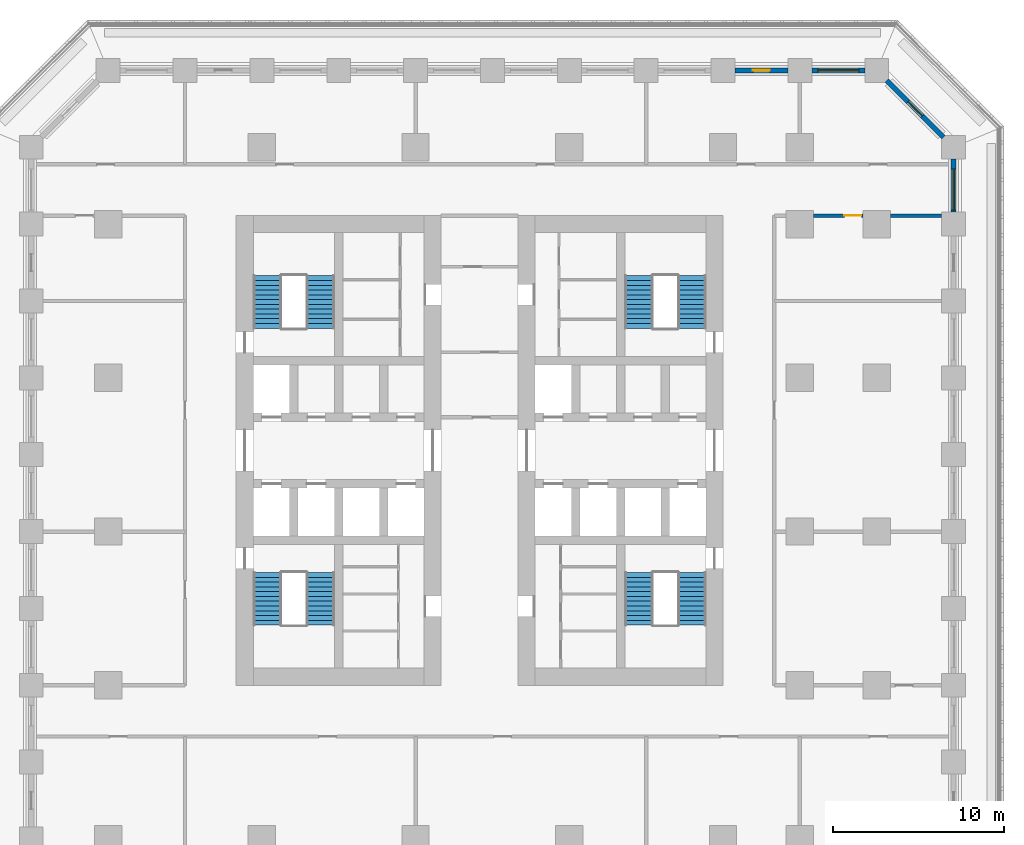
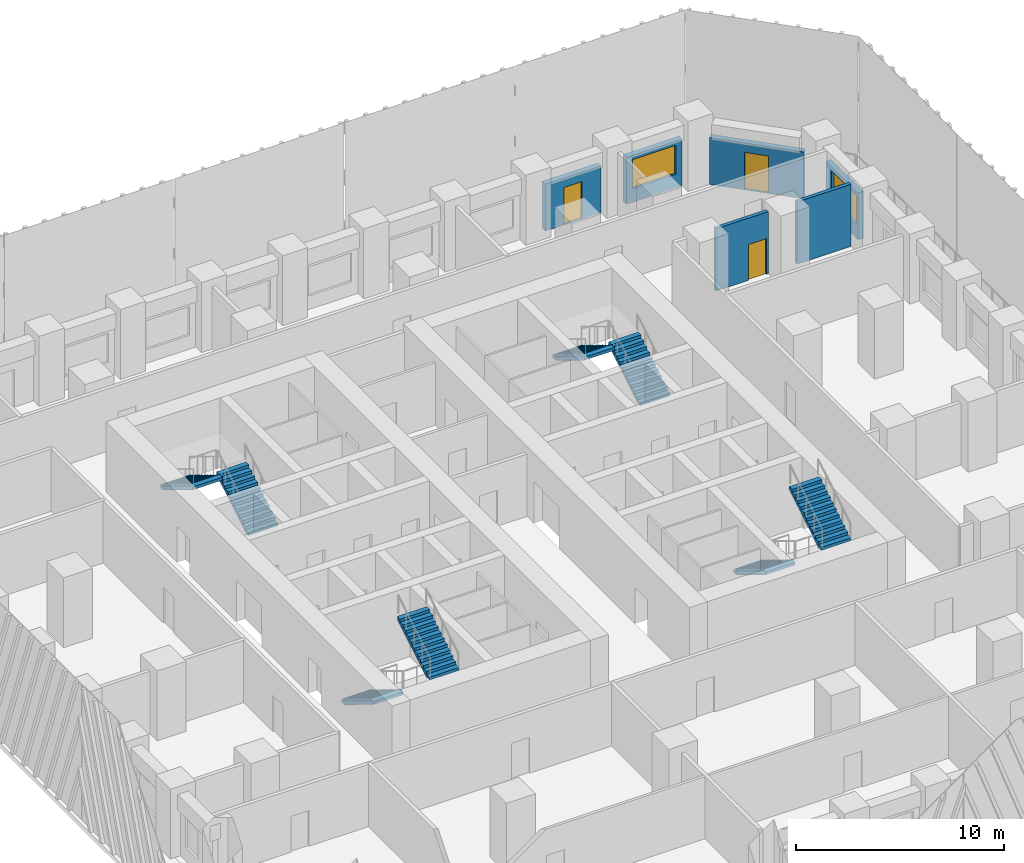
# One storey, part 8 of 14: 8 stair flights, 6 walls, 3 doors, 2 windows, 5 openings, 4 elements without a shape of their own.
"""IFC4 building model written with IfcOpenShell, lengths in metres."""

from ifc_helpers import new_model, si_unit, direction, frame, frame_2d, origin, place, context, subcontext, project, spatial, polyline, rectangle, outline, extrude, material, layer, layer_set, type_object, element, fill, aggregate, save


model = new_model("IFC4")

# Units and contexts
model_context = context("Model", 3, precision=1e-05, world=origin(), true_north=direction((0.0, 1.0)))
body_context = subcontext(model_context, "Body", "Model", "MODEL_VIEW")
ifc_project = project(units=[si_unit("LENGTHUNIT", "METRE"), si_unit("AREAUNIT", "SQUARE_METRE"), si_unit("VOLUMEUNIT", "CUBIC_METRE"), si_unit("PLANEANGLEUNIT", "RADIAN"), si_unit("MASSUNIT", "GRAM", prefix="KILO")], contexts=[model_context])

# Site, building, storey
site_placement = place(None, origin())
site = spatial("IfcSite", under=ifc_project, at=site_placement, CompositionType="ELEMENT")
building_placement = place(site_placement, origin())
building = spatial("IfcBuilding", under=site, at=building_placement, Name="Corbel Stack Research Tower", CompositionType="ELEMENT")
storey_placement = place(building_placement, frame((0.0, 0.0, 50.10009765625)))
storey = spatial("IfcBuildingStorey", under=building, at=storey_placement, Name="L11", CompositionType="ELEMENT", Elevation=50.10009765625)

# Wall, opening, door
ifc_material_1 = material(Name="Fire-rated gypsum board partition on steel studs", Category="steel")
ifc_layer_1 = layer(ifc_material_1, 0.199951171875)
ifc_layer_set_1 = layer_set([ifc_layer_1], Name="Fire-rated gypsum board partition on steel studs")
wall_type_1 = type_object("IfcWallType", Name="Fire-rated partition 200 EI 60", PredefinedType="PARTITIONING", material=ifc_layer_set_1)
wall_1_placement = place(storey_placement, frame((26.199951171875, 18.5, 0.0), z_axis=(0.0, 0.0, 1.0), x_axis=(-1.0, 0.0, 0.0)))
wall_1 = element("IfcWall", 1, at=wall_1_placement, inside=storey, type_object=wall_type_1, Name="Partition L11-034", PredefinedType="PARTITIONING", context=body_context, shape_type="SweptSolid", body=[
    extrude(rectangle(XDim=2.89990234375, YDim=0.199951171875, at=frame_2d((1.449951171875, 0.0))), origin(), (0.0, 0.0, 1.0), 3.64990234375),
])
opening_1_placement = place(wall_1_placement, frame((0.10009765625, 0.0, 0.0)))
opening_1 = element("IfcOpeningElement", 2, at=opening_1_placement, cuts=wall_1, Name="Opening B2V1-018", PredefinedType="OPENING", context=body_context, shape_type="SweptSolid", body=[
    extrude(rectangle(XDim=1.0, YDim=2.10009765625, at=frame_2d((0.5, 1.050048828125))), frame((0.0, 0.10986328125, 0.0), z_axis=(0.0, -1.0, 0.0), x_axis=(1.0, 0.0, 0.0)), (0.0, 0.0, 1.0), 0.219970703125),
])
ifc_material_2 = material(Name="Painted steel fire door", Category="steel")
door_type_1 = type_object("IfcDoorType", Name="Fire door FD30S 1000 x 2100", OperationType="NOTDEFINED", PredefinedType="DOOR", material=ifc_material_2)
door_1_placement = place(opening_1_placement, origin())
door_1 = element("IfcDoor", 3, at=door_1_placement, inside=storey, type_object=door_type_1, Name="Door B2V1-018", OperationType="SINGLE_SWING_LEFT", OverallHeight=2.10009765625, OverallWidth=1.0, PredefinedType="DOOR", context=body_context, shape_type="SweptSolid", body=[
    extrude(rectangle(XDim=1.0, YDim=2.10009765625, at=frame_2d((0.5, 1.050048828125))), frame((0.0, 0.02490234375, 0.0), z_axis=(0.0, -1.0, 0.0), x_axis=(1.0, 0.0, 0.0)), (0.0, 0.0, 1.0), 0.050048828125),
])
fill(opening_1, door_1)

# Wall
wall_2_placement = place(storey_placement, frame((27.800048828125, 18.5, 0.0), z_axis=(0.0, 0.0, 1.0), x_axis=(1.0, 0.0, 0.0)))
element("IfcWall", 4, at=wall_2_placement, inside=storey, type_object=wall_type_1, Name="Partition L11-035", PredefinedType="PARTITIONING", context=body_context, shape_type="SweptSolid", body=[
    extrude(rectangle(XDim=3.0, YDim=0.199951171875, at=frame_2d((1.5, 0.0))), origin(), (0.0, 0.0, 1.0), 3.64990234375),
])

# Wall, opening, window
ifc_material_3 = material(Name="Concrete C45/55", Category="concrete")
ifc_layer_2 = layer(ifc_material_3, 0.300048828125)
ifc_layer_set_2 = layer_set([ifc_layer_2], Name="Concrete C45/55")
wall_type_2 = type_object("IfcWallType", Name="Terracotta-faced concrete wall 300", PredefinedType="SOLIDWALL", material=ifc_layer_set_2)
wall_3_placement = place(storey_placement, frame((31.5, 21.800048828125, 0.0), z_axis=(0.0, 0.0, 1.0), x_axis=(0.0, -1.0, 0.0)))
wall_3 = element("IfcWall", 5, at=wall_3_placement, inside=storey, type_object=wall_type_2, Name="Facade wall L11 E10", PredefinedType="SOLIDWALL", context=body_context, shape_type="SweptSolid", body=[
    extrude(rectangle(XDim=3.10009765625, YDim=0.300048828125, at=frame_2d((1.550048828125, 0.0))), origin(), (0.0, 0.0, 1.0), 2.75),
])
opening_2_placement = place(wall_3_placement, frame((0.574951171875, 0.0, 0.800048828125)))
opening_2 = element("IfcOpeningElement", 6, at=opening_2_placement, cuts=wall_3, Name="Opening W1", PredefinedType="OPENING", context=body_context, shape_type="SweptSolid", body=[
    extrude(rectangle(XDim=2.39990234375, YDim=1.699951171875, at=frame_2d((1.199951171875, 0.85009765625))), frame((0.0, 0.159912109375, 0.0), z_axis=(0.0, -1.0, 0.0), x_axis=(1.0, 0.0, 0.0)), (0.0, 0.0, 1.0), 0.320068359375),
])
ifc_material_4 = material(Name="Aluminium frame, clear double glazing", Category="aluminium")
window_type = type_object("IfcWindowType", Name="Window W1 2400 x 1700", PartitioningType="SINGLE_PANEL", PredefinedType="WINDOW", material=ifc_material_4)
window_1_placement = place(opening_2_placement, origin())
window_1 = element("IfcWindow", 7, at=window_1_placement, inside=storey, type_object=window_type, Name="Window W1 L11 E10", OverallHeight=1.699951171875, OverallWidth=2.39990234375, PartitioningType="SINGLE_PANEL", PredefinedType="WINDOW", context=body_context, shape_type="SweptSolid", body=[
    extrude(rectangle(XDim=2.39990234375, YDim=1.699951171875, at=frame_2d((1.199951171875, 0.85009765625))), frame((0.0, 0.030029296875, 0.0), z_axis=(0.0, -1.0, 0.0), x_axis=(1.0, 0.0, 0.0)), (0.0, 0.0, 1.0), 0.06005859375),
])
fill(opening_2, window_1)

# Wall, opening, door
wall_4_placement = place(storey_placement, frame((27.593994140625, 26.406005859375, 0.0), z_axis=(0.0, 0.0, 1.0), x_axis=(0.707106781187, -0.707106781187, 0.0)))
wall_4 = element("IfcWall", 8, at=wall_4_placement, inside=storey, type_object=wall_type_2, Name="Facade wall L11 NE01", PredefinedType="SOLIDWALL", context=body_context, shape_type="SweptSolid", body=[
    extrude(rectangle(XDim=4.683837890625, YDim=0.300048828125, at=frame_2d((2.341796875, 0.0))), origin(), (0.0, 0.0, 1.0), 2.75),
])
opening_3_placement = place(wall_4_placement, frame((1.741943359375, 0.0, 0.0)))
opening_3 = element("IfcOpeningElement", 9, at=opening_3_placement, cuts=wall_4, Name="Opening L11-B06", PredefinedType="OPENING", context=body_context, shape_type="SweptSolid", body=[
    extrude(rectangle(XDim=1.199951171875, YDim=2.199951171875, at=frame_2d((0.60009765625, 1.10009765625))), frame((0.0, 0.159912109375, 0.0), z_axis=(0.0, -1.0, 0.0), x_axis=(1.0, 0.0, 0.0)), (0.0, 0.0, 1.0), 0.320068359375),
])
ifc_material_5 = material(Name="Aluminium frame, clear double glazing", Category="aluminium")
door_type_2 = type_object("IfcDoorType", Name="Balcony door BD2 1200 x 2200", OperationType="NOTDEFINED", PredefinedType="DOOR", material=ifc_material_5)
door_2_placement = place(opening_3_placement, origin())
door_2 = element("IfcDoor", 10, at=door_2_placement, inside=storey, type_object=door_type_2, Name="Balcony door L11-B06", OperationType="SINGLE_SWING_RIGHT", OverallHeight=2.199951171875, OverallWidth=1.199951171875, PredefinedType="DOOR", context=body_context, shape_type="SweptSolid", body=[
    extrude(rectangle(XDim=1.199951171875, YDim=2.199951171875, at=frame_2d((0.60009765625, 1.10009765625))), frame((0.0, 0.02490234375, 0.0), z_axis=(0.0, -1.0, 0.0), x_axis=(1.0, 0.0, 0.0)), (0.0, 0.0, 1.0), 0.050048828125),
])
fill(opening_3, door_2)

# Wall, opening, window
wall_5_placement = place(storey_placement, frame((23.199951171875, 27.0, 0.0), z_axis=(0.0, 0.0, 1.0), x_axis=(1.0, 0.0, 0.0)))
wall_5 = element("IfcWall", 11, at=wall_5_placement, inside=storey, type_object=wall_type_2, Name="Facade wall L11 N01", PredefinedType="SOLIDWALL", context=body_context, shape_type="SweptSolid", body=[
    extrude(rectangle(XDim=3.10009765625, YDim=0.300048828125, at=frame_2d((1.550048828125, 0.0))), origin(), (0.0, 0.0, 1.0), 2.75),
])
opening_4_placement = place(wall_5_placement, frame((0.35009765625, 0.0, 0.800048828125)))
opening_4 = element("IfcOpeningElement", 12, at=opening_4_placement, cuts=wall_5, Name="Opening W1", PredefinedType="OPENING", context=body_context, shape_type="SweptSolid", body=[
    extrude(rectangle(XDim=2.39990234375, YDim=1.699951171875, at=frame_2d((1.199951171875, 0.85009765625))), frame((0.0, 0.159912109375, 0.0), z_axis=(0.0, -1.0, 0.0), x_axis=(1.0, 0.0, 0.0)), (0.0, 0.0, 1.0), 0.320068359375),
])
window_2_placement = place(opening_4_placement, origin())
window_2 = element("IfcWindow", 13, at=window_2_placement, inside=storey, type_object=window_type, Name="Window W1 L11 N01", OverallHeight=1.699951171875, OverallWidth=2.39990234375, PartitioningType="SINGLE_PANEL", PredefinedType="WINDOW", context=body_context, shape_type="SweptSolid", body=[
    extrude(rectangle(XDim=2.39990234375, YDim=1.699951171875, at=frame_2d((1.199951171875, 0.85009765625))), frame((0.0, 0.030029296875, 0.0), z_axis=(0.0, -1.0, 0.0), x_axis=(1.0, 0.0, 0.0)), (0.0, 0.0, 1.0), 0.06005859375),
])
fill(opening_4, window_2)

# Wall, opening, door
wall_6_placement = place(storey_placement, frame((18.699951171875, 27.0, 0.0), z_axis=(0.0, 0.0, 1.0), x_axis=(1.0, 0.0, 0.0)))
wall_6 = element("IfcWall", 14, at=wall_6_placement, inside=storey, type_object=wall_type_2, Name="Facade wall L11 N02", PredefinedType="SOLIDWALL", context=body_context, shape_type="SweptSolid", body=[
    extrude(rectangle(XDim=3.10009765625, YDim=0.300048828125, at=frame_2d((1.550048828125, 0.0))), origin(), (0.0, 0.0, 1.0), 2.75),
])
opening_5_placement = place(wall_6_placement, frame((1.050048828125, 0.0, 0.0)))
opening_5 = element("IfcOpeningElement", 15, at=opening_5_placement, cuts=wall_6, Name="Opening L11-B07", PredefinedType="OPENING", context=body_context, shape_type="SweptSolid", body=[
    extrude(rectangle(XDim=1.0, YDim=2.199951171875, at=frame_2d((0.5, 1.10009765625))), frame((0.0, 0.159912109375, 0.0), z_axis=(0.0, -1.0, 0.0), x_axis=(1.0, 0.0, 0.0)), (0.0, 0.0, 1.0), 0.320068359375),
])
ifc_material_6 = material(Name="Aluminium frame, clear double glazing", Category="aluminium")
door_type_3 = type_object("IfcDoorType", Name="Balcony door BD1 1000 x 2200", OperationType="NOTDEFINED", PredefinedType="DOOR", material=ifc_material_6)
door_3_placement = place(opening_5_placement, origin())
door_3 = element("IfcDoor", 16, at=door_3_placement, inside=storey, type_object=door_type_3, Name="Balcony door L11-B07", OperationType="SINGLE_SWING_LEFT", OverallHeight=2.199951171875, OverallWidth=1.0, PredefinedType="DOOR", context=body_context, shape_type="SweptSolid", body=[
    extrude(rectangle(XDim=1.0, YDim=2.199951171875, at=frame_2d((0.5, 1.10009765625))), frame((0.0, 0.02490234375, 0.0), z_axis=(0.0, -1.0, 0.0), x_axis=(1.0, 0.0, 0.0)), (0.0, 0.0, 1.0), 0.050048828125),
])
fill(opening_5, door_3)

# Stair, stair flights
ifc_material_7 = material(Name="Concrete C40/50", Category="concrete")
stair_type = type_object("IfcStairType", Name="Exit stair 24 risers", PredefinedType="HALF_TURN_STAIR", material=ifc_material_7)
stair_1_placement = place(storey_placement, origin())
stair_1 = element("IfcStair", 17, at=stair_1_placement, inside=storey, type_object=stair_type, Name="L11 Exit stair ST-W1", PredefinedType="HALF_TURN_STAIR")
ifc_material_8 = material(Name="Concrete C40/50", Category="concrete")
stair_flight_type = type_object("IfcStairFlightType", Name="Stair flight 12 risers", PredefinedType="STRAIGHT", material=ifc_material_8)
stair_flight_1_placement = place(storey_placement, frame((-8.675048828125, -2.39990234375, 0.0), z_axis=(0.0, 0.0, 1.0), x_axis=(0.0, -1.0, 0.0)))
stair_flight_1 = element("IfcStairFlight", 18, at=stair_flight_1_placement, type_object=stair_flight_type, Name="ST-W1 flight 1", NumberOfRisers=12, NumberOfTreads=11, PredefinedType="STRAIGHT", RiserHeight=0.170833333, TreadLength=0.28, context=body_context, shape_type="SweptSolid", body=[
    extrude(outline(polyline([(0.0, 0.0), (0.0, 0.1708984375), (0.280029296875, 0.1708984375), (0.280029296875, 0.341552734375), (0.56005859375, 0.341552734375), (0.56005859375, 0.512451171875), (0.840087890625, 0.512451171875), (0.840087890625, 0.683349609375), (1.1201171875, 0.683349609375), (1.1201171875, 0.854248046875), (1.39990234375, 0.854248046875), (1.39990234375, 1.02490234375), (1.679931640625, 1.02490234375), (1.679931640625, 1.19580078125), (1.9599609375, 1.19580078125), (1.9599609375, 1.36669921875), (2.239990234375, 1.36669921875), (2.239990234375, 1.53759765625), (2.52001953125, 1.53759765625), (2.52001953125, 1.708251953125), (2.800048828125, 1.708251953125), (2.800048828125, 1.879150390625), (3.080078125, 1.879150390625), (3.080078125, 2.050048828125), (3.080078125, 1.70361328125), (0.287841796875, 0.0), (0.0, 0.0)])), frame((0.0, 0.824951171875, 0.0), z_axis=(0.0, -1.0, 0.0), x_axis=(1.0, 0.0, 0.0)), (0.0, 0.0, 1.0), 1.64990234375),
])
stair_flight_2_placement = place(storey_placement, frame((-5.574951171875, -5.47998046875, 2.0498046875), z_axis=(0.0, 0.0, 1.0), x_axis=(0.0, 1.0, 0.0)))
stair_flight_2 = element("IfcStairFlight", 19, at=stair_flight_2_placement, type_object=stair_flight_type, Name="ST-W1 flight 2", NumberOfRisers=12, NumberOfTreads=11, PredefinedType="STRAIGHT", RiserHeight=0.170833333, TreadLength=0.28, context=body_context, shape_type="SweptSolid", body=[
    extrude(outline(polyline([(0.0, 0.0), (0.0, 0.1708984375), (0.280029296875, 0.1708984375), (0.280029296875, 0.341552734375), (0.56005859375, 0.341552734375), (0.56005859375, 0.512451171875), (0.840087890625, 0.512451171875), (0.840087890625, 0.683349609375), (1.1201171875, 0.683349609375), (1.1201171875, 0.854248046875), (1.39990234375, 0.854248046875), (1.39990234375, 1.02490234375), (1.679931640625, 1.02490234375), (1.679931640625, 1.19580078125), (1.9599609375, 1.19580078125), (1.9599609375, 1.36669921875), (2.239990234375, 1.36669921875), (2.239990234375, 1.53759765625), (2.52001953125, 1.53759765625), (2.52001953125, 1.708251953125), (2.800048828125, 1.708251953125), (2.800048828125, 1.879150390625), (3.080078125, 1.879150390625), (3.080078125, 2.050048828125), (3.080078125, 1.70361328125), (0.287841796875, 0.0), (0.0, 0.0)])), frame((0.0, 0.824951171875, 0.0), z_axis=(0.0, -1.0, 0.0), x_axis=(1.0, 0.0, 0.0)), (0.0, 0.0, 1.0), 1.64990234375),
])
aggregate(stair_1, [stair_flight_1, stair_flight_2])

stair_2_placement = place(storey_placement, origin())
stair_2 = element("IfcStair", 20, at=stair_2_placement, inside=storey, type_object=stair_type, Name="L11 Exit stair ST-W2", PredefinedType="HALF_TURN_STAIR")
stair_flight_3_placement = place(storey_placement, frame((-5.574951171875, 11.89990234375, 0.0), z_axis=(0.0, 0.0, 1.0), x_axis=(0.0, 1.0, 0.0)))
stair_flight_3 = element("IfcStairFlight", 21, at=stair_flight_3_placement, type_object=stair_flight_type, Name="ST-W2 flight 1", NumberOfRisers=12, NumberOfTreads=11, PredefinedType="STRAIGHT", RiserHeight=0.170833333, TreadLength=0.28, context=body_context, shape_type="SweptSolid", body=[
    extrude(outline(polyline([(0.0, 0.0), (0.0, 0.1708984375), (0.280029296875, 0.1708984375), (0.280029296875, 0.341552734375), (0.56005859375, 0.341552734375), (0.56005859375, 0.512451171875), (0.840087890625, 0.512451171875), (0.840087890625, 0.683349609375), (1.1201171875, 0.683349609375), (1.1201171875, 0.854248046875), (1.39990234375, 0.854248046875), (1.39990234375, 1.02490234375), (1.679931640625, 1.02490234375), (1.679931640625, 1.19580078125), (1.9599609375, 1.19580078125), (1.9599609375, 1.36669921875), (2.239990234375, 1.36669921875), (2.239990234375, 1.53759765625), (2.52001953125, 1.53759765625), (2.52001953125, 1.708251953125), (2.800048828125, 1.708251953125), (2.800048828125, 1.879150390625), (3.080078125, 1.879150390625), (3.080078125, 2.050048828125), (3.080078125, 1.70361328125), (0.287841796875, 0.0), (0.0, 0.0)])), frame((0.0, 0.824951171875, 0.0), z_axis=(0.0, -1.0, 0.0), x_axis=(1.0, 0.0, 0.0)), (0.0, 0.0, 1.0), 1.64990234375),
])
stair_flight_4_placement = place(storey_placement, frame((-8.675048828125, 14.97998046875, 2.0498046875), z_axis=(0.0, 0.0, 1.0), x_axis=(0.0, -1.0, 0.0)))
stair_flight_4 = element("IfcStairFlight", 22, at=stair_flight_4_placement, type_object=stair_flight_type, Name="ST-W2 flight 2", NumberOfRisers=12, NumberOfTreads=11, PredefinedType="STRAIGHT", RiserHeight=0.170833333, TreadLength=0.28, context=body_context, shape_type="SweptSolid", body=[
    extrude(outline(polyline([(0.0, 0.0), (0.0, 0.1708984375), (0.280029296875, 0.1708984375), (0.280029296875, 0.341552734375), (0.56005859375, 0.341552734375), (0.56005859375, 0.512451171875), (0.840087890625, 0.512451171875), (0.840087890625, 0.683349609375), (1.1201171875, 0.683349609375), (1.1201171875, 0.854248046875), (1.39990234375, 0.854248046875), (1.39990234375, 1.02490234375), (1.679931640625, 1.02490234375), (1.679931640625, 1.19580078125), (1.9599609375, 1.19580078125), (1.9599609375, 1.36669921875), (2.239990234375, 1.36669921875), (2.239990234375, 1.53759765625), (2.52001953125, 1.53759765625), (2.52001953125, 1.708251953125), (2.800048828125, 1.708251953125), (2.800048828125, 1.879150390625), (3.080078125, 1.879150390625), (3.080078125, 2.050048828125), (3.080078125, 1.70361328125), (0.287841796875, 0.0), (0.0, 0.0)])), frame((0.0, 0.824951171875, 0.0), z_axis=(0.0, -1.0, 0.0), x_axis=(1.0, 0.0, 0.0)), (0.0, 0.0, 1.0), 1.64990234375),
])
aggregate(stair_2, [stair_flight_3, stair_flight_4])

stair_3_placement = place(storey_placement, origin())
stair_3 = element("IfcStair", 23, at=stair_3_placement, inside=storey, type_object=stair_type, Name="L11 Exit stair ST-E1", PredefinedType="HALF_TURN_STAIR")
stair_flight_5_placement = place(storey_placement, frame((13.074951171875, -2.39990234375, 0.0), z_axis=(0.0, 0.0, 1.0), x_axis=(0.0, -1.0, 0.0)))
stair_flight_5 = element("IfcStairFlight", 24, at=stair_flight_5_placement, type_object=stair_flight_type, Name="ST-E1 flight 1", NumberOfRisers=12, NumberOfTreads=11, PredefinedType="STRAIGHT", RiserHeight=0.170833333, TreadLength=0.28, context=body_context, shape_type="SweptSolid", body=[
    extrude(outline(polyline([(0.0, 0.0), (0.0, 0.1708984375), (0.280029296875, 0.1708984375), (0.280029296875, 0.341552734375), (0.56005859375, 0.341552734375), (0.56005859375, 0.512451171875), (0.840087890625, 0.512451171875), (0.840087890625, 0.683349609375), (1.1201171875, 0.683349609375), (1.1201171875, 0.854248046875), (1.39990234375, 0.854248046875), (1.39990234375, 1.02490234375), (1.679931640625, 1.02490234375), (1.679931640625, 1.19580078125), (1.9599609375, 1.19580078125), (1.9599609375, 1.36669921875), (2.239990234375, 1.36669921875), (2.239990234375, 1.53759765625), (2.52001953125, 1.53759765625), (2.52001953125, 1.708251953125), (2.800048828125, 1.708251953125), (2.800048828125, 1.879150390625), (3.080078125, 1.879150390625), (3.080078125, 2.050048828125), (3.080078125, 1.70361328125), (0.287841796875, 0.0), (0.0, 0.0)])), frame((0.0, 0.824951171875, 0.0), z_axis=(0.0, -1.0, 0.0), x_axis=(1.0, 0.0, 0.0)), (0.0, 0.0, 1.0), 1.64990234375),
])
stair_flight_6_placement = place(storey_placement, frame((16.175048828125, -5.47998046875, 2.0498046875), z_axis=(0.0, 0.0, 1.0), x_axis=(0.0, 1.0, 0.0)))
stair_flight_6 = element("IfcStairFlight", 25, at=stair_flight_6_placement, type_object=stair_flight_type, Name="ST-E1 flight 2", NumberOfRisers=12, NumberOfTreads=11, PredefinedType="STRAIGHT", RiserHeight=0.170833333, TreadLength=0.28, context=body_context, shape_type="SweptSolid", body=[
    extrude(outline(polyline([(0.0, 0.0), (0.0, 0.1708984375), (0.280029296875, 0.1708984375), (0.280029296875, 0.341552734375), (0.56005859375, 0.341552734375), (0.56005859375, 0.512451171875), (0.840087890625, 0.512451171875), (0.840087890625, 0.683349609375), (1.1201171875, 0.683349609375), (1.1201171875, 0.854248046875), (1.39990234375, 0.854248046875), (1.39990234375, 1.02490234375), (1.679931640625, 1.02490234375), (1.679931640625, 1.19580078125), (1.9599609375, 1.19580078125), (1.9599609375, 1.36669921875), (2.239990234375, 1.36669921875), (2.239990234375, 1.53759765625), (2.52001953125, 1.53759765625), (2.52001953125, 1.708251953125), (2.800048828125, 1.708251953125), (2.800048828125, 1.879150390625), (3.080078125, 1.879150390625), (3.080078125, 2.050048828125), (3.080078125, 1.70361328125), (0.287841796875, 0.0), (0.0, 0.0)])), frame((0.0, 0.824951171875, 0.0), z_axis=(0.0, -1.0, 0.0), x_axis=(1.0, 0.0, 0.0)), (0.0, 0.0, 1.0), 1.64990234375),
])
aggregate(stair_3, [stair_flight_5, stair_flight_6])

stair_4_placement = place(storey_placement, origin())
stair_4 = element("IfcStair", 26, at=stair_4_placement, inside=storey, type_object=stair_type, Name="L11 Exit stair ST-E2", PredefinedType="HALF_TURN_STAIR")
stair_flight_7_placement = place(storey_placement, frame((16.175048828125, 11.89990234375, 0.0), z_axis=(0.0, 0.0, 1.0), x_axis=(0.0, 1.0, 0.0)))
stair_flight_7 = element("IfcStairFlight", 27, at=stair_flight_7_placement, type_object=stair_flight_type, Name="ST-E2 flight 1", NumberOfRisers=12, NumberOfTreads=11, PredefinedType="STRAIGHT", RiserHeight=0.170833333, TreadLength=0.28, context=body_context, shape_type="SweptSolid", body=[
    extrude(outline(polyline([(0.0, 0.0), (0.0, 0.1708984375), (0.280029296875, 0.1708984375), (0.280029296875, 0.341552734375), (0.56005859375, 0.341552734375), (0.56005859375, 0.512451171875), (0.840087890625, 0.512451171875), (0.840087890625, 0.683349609375), (1.1201171875, 0.683349609375), (1.1201171875, 0.854248046875), (1.39990234375, 0.854248046875), (1.39990234375, 1.02490234375), (1.679931640625, 1.02490234375), (1.679931640625, 1.19580078125), (1.9599609375, 1.19580078125), (1.9599609375, 1.36669921875), (2.239990234375, 1.36669921875), (2.239990234375, 1.53759765625), (2.52001953125, 1.53759765625), (2.52001953125, 1.708251953125), (2.800048828125, 1.708251953125), (2.800048828125, 1.879150390625), (3.080078125, 1.879150390625), (3.080078125, 2.050048828125), (3.080078125, 1.70361328125), (0.287841796875, 0.0), (0.0, 0.0)])), frame((0.0, 0.824951171875, 0.0), z_axis=(0.0, -1.0, 0.0), x_axis=(1.0, 0.0, 0.0)), (0.0, 0.0, 1.0), 1.64990234375),
])
stair_flight_8_placement = place(storey_placement, frame((13.074951171875, 14.97998046875, 2.0498046875), z_axis=(0.0, 0.0, 1.0), x_axis=(0.0, -1.0, 0.0)))
stair_flight_8 = element("IfcStairFlight", 28, at=stair_flight_8_placement, type_object=stair_flight_type, Name="ST-E2 flight 2", NumberOfRisers=12, NumberOfTreads=11, PredefinedType="STRAIGHT", RiserHeight=0.170833333, TreadLength=0.28, context=body_context, shape_type="SweptSolid", body=[
    extrude(outline(polyline([(0.0, 0.0), (0.0, 0.1708984375), (0.280029296875, 0.1708984375), (0.280029296875, 0.341552734375), (0.56005859375, 0.341552734375), (0.56005859375, 0.512451171875), (0.840087890625, 0.512451171875), (0.840087890625, 0.683349609375), (1.1201171875, 0.683349609375), (1.1201171875, 0.854248046875), (1.39990234375, 0.854248046875), (1.39990234375, 1.02490234375), (1.679931640625, 1.02490234375), (1.679931640625, 1.19580078125), (1.9599609375, 1.19580078125), (1.9599609375, 1.36669921875), (2.239990234375, 1.36669921875), (2.239990234375, 1.53759765625), (2.52001953125, 1.53759765625), (2.52001953125, 1.708251953125), (2.800048828125, 1.708251953125), (2.800048828125, 1.879150390625), (3.080078125, 1.879150390625), (3.080078125, 2.050048828125), (3.080078125, 1.70361328125), (0.287841796875, 0.0), (0.0, 0.0)])), frame((0.0, 0.824951171875, 0.0), z_axis=(0.0, -1.0, 0.0), x_axis=(1.0, 0.0, 0.0)), (0.0, 0.0, 1.0), 1.64990234375),
])
aggregate(stair_4, [stair_flight_7, stair_flight_8])

save(model, "model.ifc")
